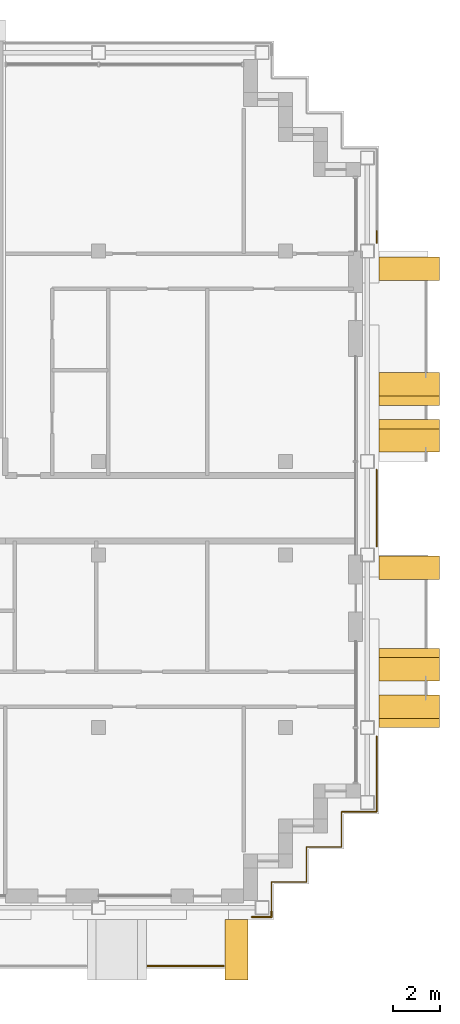
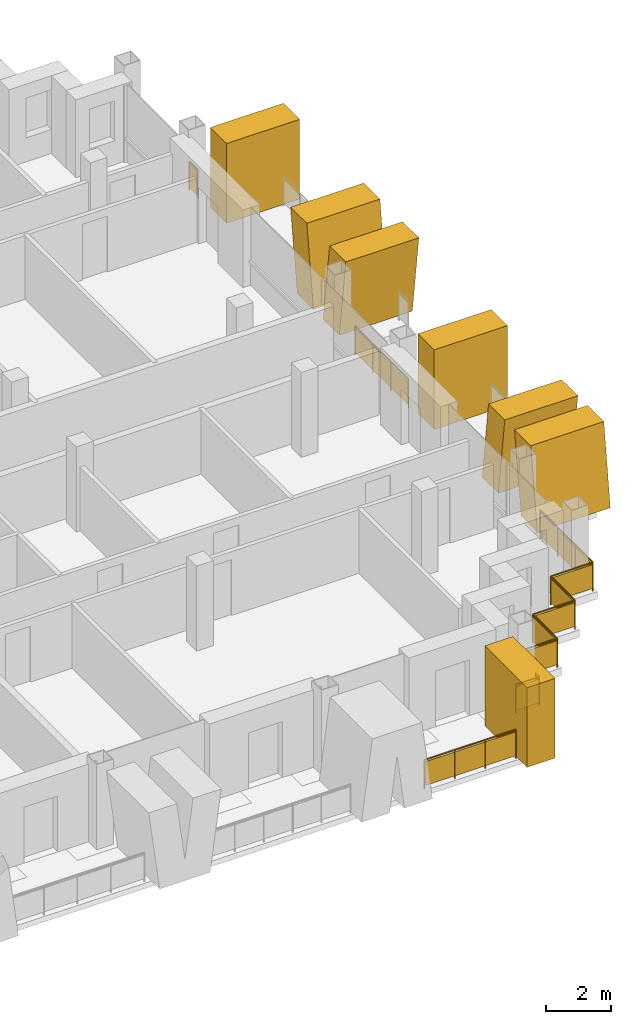
# One storey, part 13 of 15: 7 shading devices, 5 railings.
"""IFC4 building model written with IfcOpenShell, lengths in metres."""

from ifc_helpers import new_model, si_unit, direction, frame, origin, origin_2d, place, context, subcontext, project, spatial, polyline, rectangle, circle, outline, extrude, material, layer, layer_set, type_object, element, save


model = new_model("IFC4")

# Units and contexts
model_context = context("Model", 3, precision=1e-05, world=origin(), true_north=direction((0.0, 1.0)))
body_context = subcontext(model_context, "Body", "Model", "MODEL_VIEW")
ifc_project = project(units=[si_unit("LENGTHUNIT", "METRE"), si_unit("AREAUNIT", "SQUARE_METRE"), si_unit("VOLUMEUNIT", "CUBIC_METRE"), si_unit("PLANEANGLEUNIT", "RADIAN"), si_unit("MASSUNIT", "GRAM", prefix="KILO")], contexts=[model_context])

# Site, building, storey
site_placement = place(None, origin())
site = spatial("IfcSite", under=ifc_project, at=site_placement, CompositionType="ELEMENT")
building_placement = place(site_placement, origin())
building = spatial("IfcBuilding", under=site, at=building_placement, Name="Vidyagriha Tower", CompositionType="ELEMENT")
storey_placement = place(building_placement, frame((0.0, 0.0, 226.800048828125)))
storey = spatial("IfcBuildingStorey", under=building, at=storey_placement, Name="L59", CompositionType="ELEMENT", Elevation=226.800048828125)

# Railing
ifc_material_1 = material(Name="Steel ASTM A500 Grade C black painted", Category="steel")
railing_type_1 = type_object("IfcRailingType", Name="Balcony guard 1100", PredefinedType="BALUSTRADE", material=ifc_material_1)
railing_1_placement = place(storey_placement, frame((20.08740234375, -19.60009765625, 0.0)))
element("IfcRailing", 1, at=railing_1_placement, inside=storey, type_object=railing_type_1, Name="Balcony guard L59 R23.1-9", PredefinedType="BALUSTRADE", context=body_context, shape_type="SweptSolid", body=[
    extrude(circle(Radius=0.02490234375, at=origin_2d()), frame((0.0, 0.0, 1.0751953125), z_axis=(1.0, 0.0, 0.0), x_axis=(0.0, 1.0, 0.0)), (0.0, 0.0, 1.0), 3.2626953125),
    extrude(circle(Radius=0.02001953125, at=origin_2d()), origin(), (0.0, 0.0, 1.0), 1.050048828125),
    extrude(circle(Radius=0.02001953125, at=origin_2d()), frame((1.087646484375, 0.0, 0.0)), (0.0, 0.0, 1.0), 1.050048828125),
    extrude(circle(Radius=0.02001953125, at=origin_2d()), frame((2.175048828125, 0.0, 0.0)), (0.0, 0.0, 1.0), 1.050048828125),
    extrude(circle(Radius=0.02001953125, at=origin_2d()), frame((3.2626953125, 0.0, 0.0)), (0.0, 0.0, 1.0), 1.050048828125),
    extrude(rectangle(XDim=0.010009765625, YDim=0.900146484375, at=origin_2d()), frame((0.0, 0.0, 0.550048828125), z_axis=(1.0, 0.0, 0.0), x_axis=(0.0, 1.0, 0.0)), (0.0, 0.0, 1.0), 3.2626953125),
])

# Shading devices
ifc_material_2 = material(Name="Precast concrete C40/50 with buff brick facing", Category="concrete")
ifc_layer_1 = layer(ifc_material_2, 1.0)
ifc_layer_set_1 = layer_set([ifc_layer_1], Name="Precast concrete C40/50 with buff brick facing")
shading_device_type_1 = type_object("IfcShadingDeviceType", Name="Brick-faced blade fin arm leaning 8 degrees", PredefinedType="USERDEFINED", material=ifc_layer_set_1)
shading_device_1_placement = place(storey_placement, frame((31.300048828125, -7.39990234375, 0.0), z_axis=(0.0, 0.0, 1.0), x_axis=(0.0, 1.0, 0.0)))
element("IfcShadingDevice", 2, at=shading_device_1_placement, inside=storey, type_object=shading_device_type_1, Name="Leaning blade fin L59 R30.240a", ObjectType="BLADE FIN", PredefinedType="USERDEFINED", context=body_context, shape_type="SweptSolid", body=[
    extrude(outline(polyline([(0.39990234375, 0.0), (1.39990234375, 0.0), (1.0, 3.0), (0.0, 3.0), (0.39990234375, 0.0)])), frame((0.0, 1.300048828125, 0.0), z_axis=(0.0, -1.0, 0.0), x_axis=(1.0, 0.0, 0.0)), (0.0, 0.0, 1.0), 2.60009765625),
])
for number, where, z_axis, x_axis, name in (
    (3, (31.300048828125, -9.39990234375, 0.0), (0.0, 0.0, 1.0), (0.0, 1.0, 0.0), "Leaning blade fin L59 R30.240b"),
    (4, (31.300048828125, 4.39990234375, 0.0), (0.0, 0.0, 1.0), (0.0, 1.0, 0.0), "Leaning blade fin L59 R30.1380a"),
):
    element("IfcShadingDevice", number, at=place(storey_placement, frame(where, z_axis=z_axis, x_axis=x_axis)), inside=storey, type_object=shading_device_type_1, Name=name, ObjectType="BLADE FIN", PredefinedType="USERDEFINED", context=body_context, shape_type="SweptSolid", body=[
        extrude(outline(polyline([(0.0, 0.0), (1.0, 0.0), (1.39990234375, 3.0), (0.39990234375, 3.0), (0.0, 0.0)])), frame((0.0, 1.300048828125, 0.0), z_axis=(0.0, -1.0, 0.0), x_axis=(1.0, 0.0, 0.0)), (0.0, 0.0, 1.0), 2.60009765625),
    ])
shading_device_2_placement = place(storey_placement, frame((31.300048828125, 2.39990234375, 0.0), z_axis=(0.0, 0.0, 1.0), x_axis=(0.0, 1.0, 0.0)))
element("IfcShadingDevice", 5, at=shading_device_2_placement, inside=storey, type_object=shading_device_type_1, Name="Leaning blade fin L59 R30.1380b", ObjectType="BLADE FIN", PredefinedType="USERDEFINED", context=body_context, shape_type="SweptSolid", body=[
    extrude(outline(polyline([(0.39990234375, 0.0), (1.39990234375, 0.0), (1.0, 3.0), (0.0, 3.0), (0.39990234375, 0.0)])), frame((0.0, 1.300048828125, 0.0), z_axis=(0.0, -1.0, 0.0), x_axis=(1.0, 0.0, 0.0)), (0.0, 0.0, 1.0), 2.60009765625),
])
ifc_material_3 = material(Name="Precast concrete C40/50 with buff brick facing", Category="concrete")
ifc_layer_2 = layer(ifc_material_3, 1.0)
ifc_layer_set_2 = layer_set([ifc_layer_2], Name="Precast concrete C40/50 with buff brick facing")
shading_device_type_2 = type_object("IfcShadingDeviceType", Name="Brick-faced blade fin stem 1000", PredefinedType="USERDEFINED", material=ifc_layer_set_2)
shading_device_3_placement = place(storey_placement, frame((23.39990234375, -18.89990234375, 0.0)))
element("IfcShadingDevice", 6, at=shading_device_3_placement, inside=storey, type_object=shading_device_type_2, Name="Stem blade fin L59 R23.4840a", ObjectType="BLADE FIN", PredefinedType="USERDEFINED", context=body_context, shape_type="SweptSolid", body=[
    extrude(outline(polyline([(0.0, 0.0), (1.0, 0.0), (1.0, 3.0), (0.0, 3.0), (0.0, 0.0)])), frame((0.0, 1.300048828125, 0.0), z_axis=(0.0, -1.0, 0.0), x_axis=(1.0, 0.0, 0.0)), (0.0, 0.0, 1.0), 2.60009765625),
])
for number, where, z_axis, x_axis, name in (
    (7, (31.300048828125, -3.050048828125, 0.0), (0.0, 0.0, 1.0), (0.0, 1.0, 0.0), "Stem blade fin L59 R30.980a"),
    (8, (31.300048828125, 9.75, 0.0), (0.0, 0.0, 1.0), (0.0, 1.0, 0.0), "Stem blade fin L59 R30.2280a"),
):
    element("IfcShadingDevice", number, at=place(storey_placement, frame(where, z_axis=z_axis, x_axis=x_axis)), inside=storey, type_object=shading_device_type_2, Name=name, ObjectType="BLADE FIN", PredefinedType="USERDEFINED", context=body_context, shape_type="SweptSolid", body=[
        extrude(outline(polyline([(0.0, 0.0), (1.0, 0.0), (1.0, 3.0), (0.0, 3.0), (0.0, 0.0)])), frame((0.0, 1.300048828125, 0.0), z_axis=(0.0, -1.0, 0.0), x_axis=(1.0, 0.0, 0.0)), (0.0, 0.0, 1.0), 2.60009765625),
    ])

# Railings
ifc_material_4 = material(Name="Steel ASTM A500 Grade C black painted", Category="steel")
railing_type_2 = type_object("IfcRailingType", Name="Gallery guard 1100", PredefinedType="GUARDRAIL", material=ifc_material_4)
railing_2_placement = place(storey_placement, frame((29.89990234375, 11.8701171875, 0.0)))
element("IfcRailing", 9, at=railing_2_placement, inside=storey, type_object=railing_type_2, Name="Gallery guard L59 9", PredefinedType="GUARDRAIL", context=body_context, shape_type="SweptSolid", body=[
    extrude(circle(Radius=0.02490234375, at=origin_2d()), frame((0.0, 0.0, 1.0751953125), z_axis=(0.0, -1.0, 0.0), x_axis=(1.0, 0.0, 0.0)), (0.0, 0.0, 1.0), 0.510009765625),
    extrude(circle(Radius=0.02001953125, at=origin_2d()), origin(), (0.0, 0.0, 1.0), 1.050048828125),
    extrude(circle(Radius=0.02001953125, at=origin_2d()), frame((0.0, -0.510009765625, 0.0)), (0.0, 0.0, 1.0), 1.050048828125),
    extrude(rectangle(XDim=0.010009765625, YDim=0.900146484375, at=origin_2d()), frame((0.0, 0.0, 0.550048828125), z_axis=(0.0, -1.0, 0.0), x_axis=(1.0, 0.0, 0.0)), (0.0, 0.0, 1.0), 0.510009765625),
])
railing_3_placement = place(storey_placement, frame((29.89990234375, -9.760009765625, 0.0)))
element("IfcRailing", 10, at=railing_3_placement, inside=storey, type_object=railing_type_2, Name="Gallery guard L59 10", PredefinedType="GUARDRAIL", context=body_context, shape_type="SweptSolid", body=[
    extrude(circle(Radius=0.02490234375, at=origin_2d()), frame((0.0, 0.0, 1.0751953125), z_axis=(0.0, -1.0, 0.0), x_axis=(1.0, 0.0, 0.0)), (0.0, 0.0, 1.0), 3.239990234375),
    extrude(circle(Radius=0.02490234375, at=origin_2d()), frame((0.0, -3.239990234375, 1.0751953125), z_axis=(-1.0, 0.0, 0.0), x_axis=(0.0, -1.0, 0.0)), (0.0, 0.0, 1.0), 1.5),
    extrude(circle(Radius=0.02490234375, at=origin_2d()), frame((-1.5, -3.239990234375, 1.0751953125), z_axis=(0.0, -1.0, 0.0), x_axis=(1.0, 0.0, 0.0)), (0.0, 0.0, 1.0), 1.5),
    extrude(circle(Radius=0.02490234375, at=origin_2d()), frame((-1.5, -4.739990234375, 1.0751953125), z_axis=(-1.0, 0.0, 0.0), x_axis=(0.0, -1.0, 0.0)), (0.0, 0.0, 1.0), 1.5),
    extrude(circle(Radius=0.02490234375, at=origin_2d()), frame((-3.0, -4.739990234375, 1.0751953125), z_axis=(0.0, -1.0, 0.0), x_axis=(1.0, 0.0, 0.0)), (0.0, 0.0, 1.0), 1.5),
    extrude(circle(Radius=0.02490234375, at=origin_2d()), frame((-3.0, -6.239990234375, 1.0751953125), z_axis=(-1.0, 0.0, 0.0), x_axis=(0.0, -1.0, 0.0)), (0.0, 0.0, 1.0), 1.5),
    extrude(circle(Radius=0.02490234375, at=origin_2d()), frame((-4.5, -6.239990234375, 1.0751953125), z_axis=(0.0, -1.0, 0.0), x_axis=(1.0, 0.0, 0.0)), (0.0, 0.0, 1.0), 1.260009765625),
    extrude(circle(Radius=0.02001953125, at=origin_2d()), origin(), (0.0, 0.0, 1.0), 1.050048828125),
    extrude(circle(Radius=0.02001953125, at=origin_2d()), frame((0.0, -1.080078125, 0.0)), (0.0, 0.0, 1.0), 1.050048828125),
    extrude(circle(Radius=0.02001953125, at=origin_2d()), frame((0.0, -2.159912109375, 0.0)), (0.0, 0.0, 1.0), 1.050048828125),
    extrude(circle(Radius=0.02001953125, at=origin_2d()), frame((0.0, -3.239990234375, 0.0)), (0.0, 0.0, 1.0), 1.050048828125),
    extrude(circle(Radius=0.02001953125, at=origin_2d()), frame((-1.5, -3.239990234375, 0.0)), (0.0, 0.0, 1.0), 1.050048828125),
    extrude(circle(Radius=0.02001953125, at=origin_2d()), frame((-1.5, -4.739990234375, 0.0)), (0.0, 0.0, 1.0), 1.050048828125),
    extrude(circle(Radius=0.02001953125, at=origin_2d()), frame((-3.0, -4.739990234375, 0.0)), (0.0, 0.0, 1.0), 1.050048828125),
    extrude(circle(Radius=0.02001953125, at=origin_2d()), frame((-3.0, -6.239990234375, 0.0)), (0.0, 0.0, 1.0), 1.050048828125),
    extrude(circle(Radius=0.02001953125, at=origin_2d()), frame((-4.5, -6.239990234375, 0.0)), (0.0, 0.0, 1.0), 1.050048828125),
    extrude(circle(Radius=0.02001953125, at=origin_2d()), frame((-4.5, -7.5, 0.0)), (0.0, 0.0, 1.0), 1.050048828125),
    extrude(rectangle(XDim=0.010009765625, YDim=0.900146484375, at=origin_2d()), frame((0.0, 0.0, 0.550048828125), z_axis=(0.0, -1.0, 0.0), x_axis=(1.0, 0.0, 0.0)), (0.0, 0.0, 1.0), 3.239990234375),
    extrude(rectangle(XDim=0.010009765625, YDim=0.900146484375, at=origin_2d()), frame((0.0, -3.239990234375, 0.550048828125), z_axis=(-1.0, 0.0, 0.0), x_axis=(0.0, -1.0, 0.0)), (0.0, 0.0, 1.0), 1.5),
    extrude(rectangle(XDim=0.010009765625, YDim=0.900146484375, at=origin_2d()), frame((-1.5, -3.239990234375, 0.550048828125), z_axis=(0.0, -1.0, 0.0), x_axis=(1.0, 0.0, 0.0)), (0.0, 0.0, 1.0), 1.5),
    extrude(rectangle(XDim=0.010009765625, YDim=0.900146484375, at=origin_2d()), frame((-1.5, -4.739990234375, 0.550048828125), z_axis=(-1.0, 0.0, 0.0), x_axis=(0.0, -1.0, 0.0)), (0.0, 0.0, 1.0), 1.5),
    extrude(rectangle(XDim=0.010009765625, YDim=0.900146484375, at=origin_2d()), frame((-3.0, -4.739990234375, 0.550048828125), z_axis=(0.0, -1.0, 0.0), x_axis=(1.0, 0.0, 0.0)), (0.0, 0.0, 1.0), 1.5),
    extrude(rectangle(XDim=0.010009765625, YDim=0.900146484375, at=origin_2d()), frame((-3.0, -6.239990234375, 0.550048828125), z_axis=(-1.0, 0.0, 0.0), x_axis=(0.0, -1.0, 0.0)), (0.0, 0.0, 1.0), 1.5),
    extrude(rectangle(XDim=0.010009765625, YDim=0.900146484375, at=origin_2d()), frame((-4.5, -6.239990234375, 0.550048828125), z_axis=(0.0, -1.0, 0.0), x_axis=(1.0, 0.0, 0.0)), (0.0, 0.0, 1.0), 1.260009765625),
])
railing_4_placement = place(storey_placement, frame((25.39990234375, -17.260009765625, 0.0)))
element("IfcRailing", 11, at=railing_4_placement, inside=storey, type_object=railing_type_2, Name="Gallery guard L59 11", PredefinedType="GUARDRAIL", context=body_context, shape_type="SweptSolid", body=[
    extrude(circle(Radius=0.02490234375, at=origin_2d()), frame((0.0, 0.0, 1.0751953125), z_axis=(0.0, -1.0, 0.0), x_axis=(1.0, 0.0, 0.0)), (0.0, 0.0, 1.0), 0.239990234375),
    extrude(circle(Radius=0.02490234375, at=origin_2d()), frame((0.0, -0.239990234375, 1.0751953125), z_axis=(-1.0, 0.0, 0.0), x_axis=(0.0, -1.0, 0.0)), (0.0, 0.0, 1.0), 0.83984375),
    extrude(circle(Radius=0.02001953125, at=origin_2d()), origin(), (0.0, 0.0, 1.0), 1.050048828125),
    extrude(circle(Radius=0.02001953125, at=origin_2d()), frame((0.0, -0.239990234375, 0.0)), (0.0, 0.0, 1.0), 1.050048828125),
    extrude(circle(Radius=0.02001953125, at=origin_2d()), frame((-0.83984375, -0.239990234375, 0.0)), (0.0, 0.0, 1.0), 1.050048828125),
    extrude(rectangle(XDim=0.010009765625, YDim=0.900146484375, at=origin_2d()), frame((0.0, 0.0, 0.550048828125), z_axis=(0.0, -1.0, 0.0), x_axis=(1.0, 0.0, 0.0)), (0.0, 0.0, 1.0), 0.239990234375),
    extrude(rectangle(XDim=0.010009765625, YDim=0.900146484375, at=origin_2d()), frame((0.0, -0.239990234375, 0.550048828125), z_axis=(-1.0, 0.0, 0.0), x_axis=(0.0, -1.0, 0.0)), (0.0, 0.0, 1.0), 0.83984375),
])
railing_5_placement = place(storey_placement, frame((29.89990234375, 1.639892578125, 0.0)))
element("IfcRailing", 12, at=railing_5_placement, inside=storey, type_object=railing_type_2, Name="Gallery guard L59 12", PredefinedType="GUARDRAIL", context=body_context, shape_type="SweptSolid", body=[
    extrude(circle(Radius=0.02490234375, at=origin_2d()), frame((0.0, 0.0, 1.0751953125), z_axis=(0.0, -1.0, 0.0), x_axis=(1.0, 0.0, 0.0)), (0.0, 0.0, 1.0), 3.27978515625),
    extrude(circle(Radius=0.02001953125, at=origin_2d()), origin(), (0.0, 0.0, 1.0), 1.050048828125),
    extrude(circle(Radius=0.02001953125, at=origin_2d()), frame((0.0, -1.09326171875, 0.0)), (0.0, 0.0, 1.0), 1.050048828125),
    extrude(circle(Radius=0.02001953125, at=origin_2d()), frame((0.0, -2.1865234375, 0.0)), (0.0, 0.0, 1.0), 1.050048828125),
    extrude(circle(Radius=0.02001953125, at=origin_2d()), frame((0.0, -3.27978515625, 0.0)), (0.0, 0.0, 1.0), 1.050048828125),
    extrude(rectangle(XDim=0.010009765625, YDim=0.900146484375, at=origin_2d()), frame((0.0, 0.0, 0.550048828125), z_axis=(0.0, -1.0, 0.0), x_axis=(1.0, 0.0, 0.0)), (0.0, 0.0, 1.0), 3.27978515625),
])

save(model, "model.ifc")
